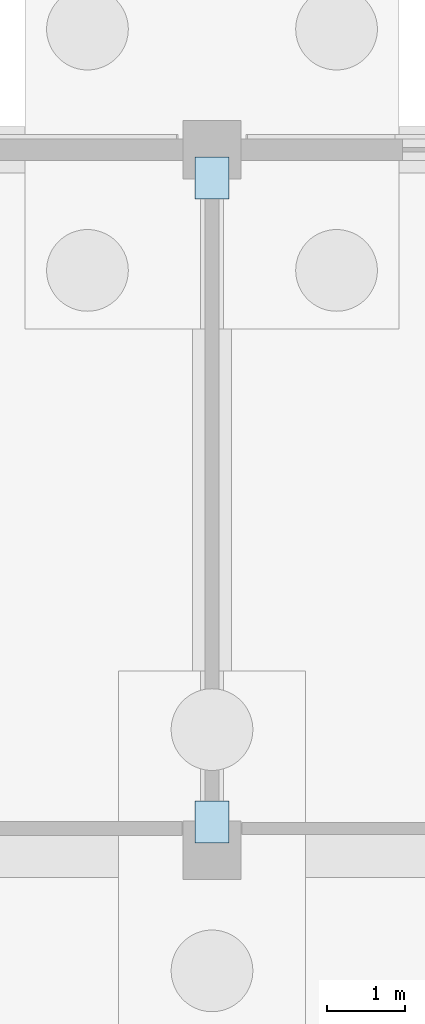
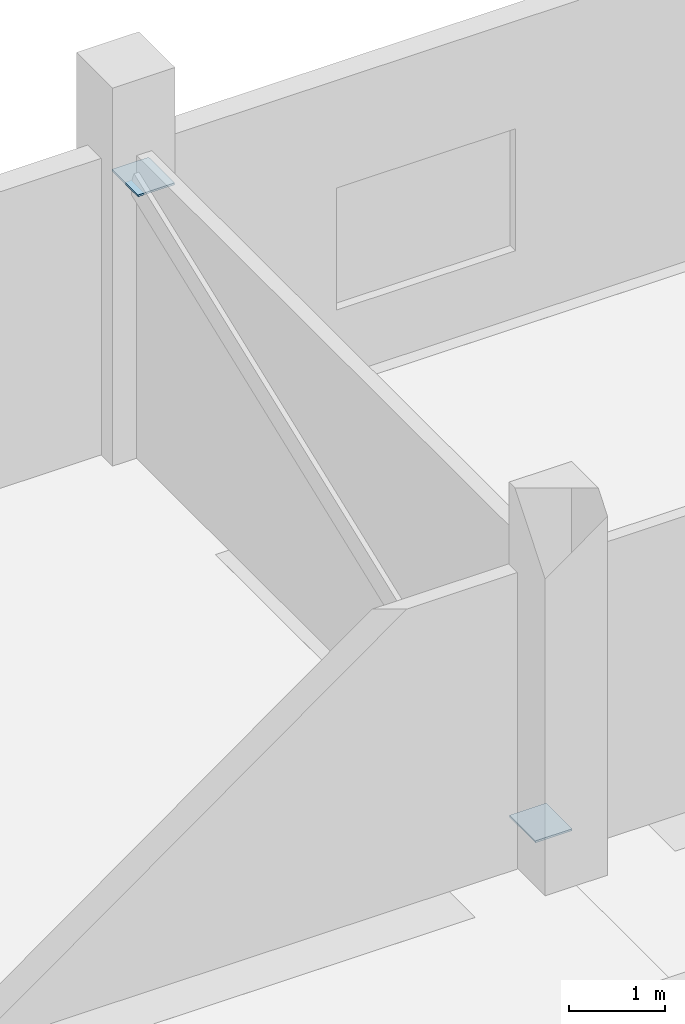
# One storey, part 53 of 82: 2 plates.
"""IFC4 building model written with IfcOpenShell, lengths in metres."""

from ifc_helpers import new_model, si_unit, direction, frame, origin, origin_2d, place, context, subcontext, project, spatial, rectangle, extrude, material, layer, layer_set, type_object, element, save


model = new_model("IFC4")

# Units and contexts
model_context = context("Model", 3, precision=1e-05, world=origin(), true_north=direction((0.0, 1.0)))
body_context = subcontext(model_context, "Body", "Model", "MODEL_VIEW")
ifc_project = project(units=[si_unit("LENGTHUNIT", "METRE"), si_unit("AREAUNIT", "SQUARE_METRE"), si_unit("VOLUMEUNIT", "CUBIC_METRE"), si_unit("PLANEANGLEUNIT", "RADIAN"), si_unit("MASSUNIT", "GRAM", prefix="KILO")], contexts=[model_context])

# Site, building, storey
site_placement = place(None, origin())
site = spatial("IfcSite", under=ifc_project, at=site_placement, CompositionType="ELEMENT")
building_placement = place(site_placement, origin())
building = spatial("IfcBuilding", under=site, at=building_placement, Name="Kelmvaro Bay Concert Hall", CompositionType="ELEMENT")
storey_placement = place(building_placement, origin())
storey = spatial("IfcBuildingStorey", under=building, at=storey_placement, Name="L00", CompositionType="ELEMENT", Elevation=0.0)

# Plates
ifc_material = material(Name="Steel ASTM A572 Grade 50", Category="steel")
ifc_layer = layer(ifc_material, 0.02392578125)
ifc_layer_set = layer_set([ifc_layer], Name="Steel ASTM A572 Grade 50")
plate_type = type_object("IfcPlateType", Name="Lateral Brace Node Gusset Plate 540x440x24", PredefinedType="SHEET", material=ifc_layer_set)
for number, where, z_axis, x_axis, name in (
    (1, (156.0, 30.36474609375, 0.333984375), (0.0, 0.0, 1.0), (0.0, 1.0, 0.0), "L00 Lateral Diagonal Brace V4-E End Cap Plate 1 (ND-04)"),
    (2, (156.0, 38.63525390625, 3.52197265625), (0.0, 0.0, 1.0), (0.0, 1.0, 0.0), "L00 Lateral Diagonal Brace V4-E End Cap Plate 2 (ND-04)"),
):
    element("IfcPlate", number, at=place(storey_placement, frame(where, z_axis=z_axis, x_axis=x_axis)), inside=storey, type_object=plate_type, Name=name, PredefinedType="SHEET", context=body_context, shape_type="SweptSolid", body=[
        extrude(rectangle(XDim=0.5400390625, YDim=0.43994140625, at=origin_2d()), origin(), (0.0, 0.0, 1.0), 0.02392578125),
    ])

save(model, "model.ifc")
